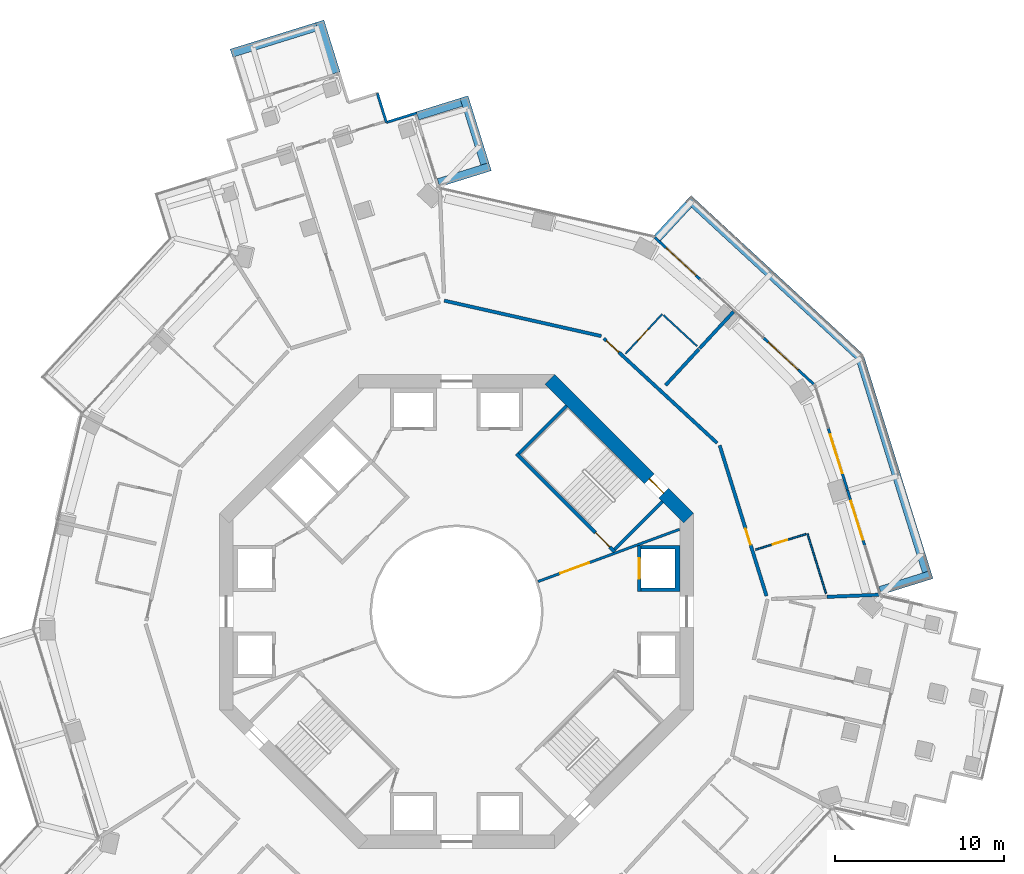
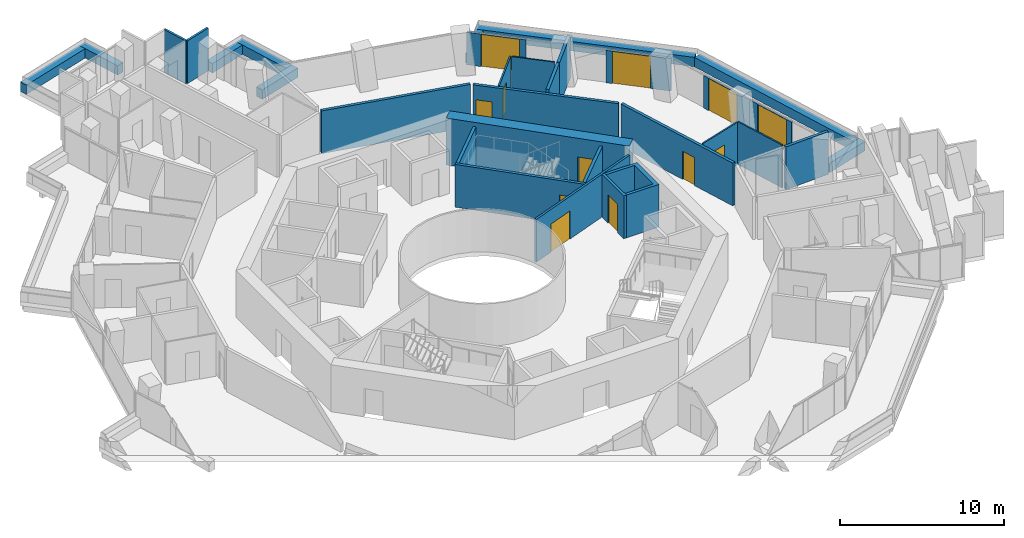
# One storey, part 22 of 25: 32 walls, 12 doors, 12 openings.
"""IFC4 building model written with IfcOpenShell, lengths in metres."""

from ifc_helpers import new_model, si_unit, direction, frame, frame_2d, origin, place, context, subcontext, project, spatial, polyline, rectangle, outline, extrude, material, layer, layer_set, type_object, element, fill, save


model = new_model("IFC4")

# Units and contexts
model_context = context("Model", 3, precision=1e-05, world=origin(), true_north=direction((0.0, 1.0)))
body_context = subcontext(model_context, "Body", "Model", "MODEL_VIEW")
ifc_project = project(units=[si_unit("LENGTHUNIT", "METRE"), si_unit("AREAUNIT", "SQUARE_METRE"), si_unit("VOLUMEUNIT", "CUBIC_METRE"), si_unit("PLANEANGLEUNIT", "RADIAN"), si_unit("MASSUNIT", "GRAM", prefix="KILO")], contexts=[model_context])

# Site, building, storey
site_placement = place(None, origin())
site = spatial("IfcSite", under=ifc_project, at=site_placement, CompositionType="ELEMENT")
building_placement = place(site_placement, origin())
building = spatial("IfcBuilding", under=site, at=building_placement, Name="Verdalira Terraces Hotel", CompositionType="ELEMENT")
storey_placement = place(building_placement, frame((0.0, 0.0, 103.5)))
storey = spatial("IfcBuildingStorey", under=building, at=storey_placement, Name="L24", CompositionType="ELEMENT", Elevation=103.5)

# Walls
ifc_material_1 = material(Name="Concrete C40", Category="concrete")
ifc_layer_1 = layer(ifc_material_1, 0.5)
ifc_layer_set_1 = layer_set([ifc_layer_1], Name="Balcony planter trough with tree")
wall_type_1 = type_object("IfcWallType", Name="Balcony planter trough with tree", PredefinedType="SOLIDWALL", material=ifc_layer_set_1)
wall_1_placement = place(storey_placement, frame((-7.123779, 31.821289, 0.0), z_axis=(0.0, 0.0, 1.0), x_axis=(-0.297044903, 0.954863511, 0.0)))
element("IfcWall", 1, at=wall_1_placement, inside=storey, type_object=wall_type_1, Name="Balcony planter", PredefinedType="SOLIDWALL", context=body_context, shape_type="SweptSolid", body=[
    extrude(rectangle(XDim=3.19873, YDim=0.5, at=frame_2d((1.599365, 0.0))), origin(), (0.0, 0.0, 1.0), 0.699951),
])
wall_2_placement = place(storey_placement, frame((-8.238525, 34.562744, 0.0), z_axis=(0.0, 0.0, 1.0), x_axis=(-0.954870132, -0.29702362, 0.0)))
element("IfcWall", 2, at=wall_2_placement, inside=storey, type_object=wall_type_1, Name="Balcony planter", PredefinedType="SOLIDWALL", context=body_context, shape_type="SweptSolid", body=[
    extrude(rectangle(XDim=5.300049, YDim=0.5, at=frame_2d((2.649902, 0.0))), origin(), (0.0, 0.0, 1.0), 0.699951),
])
wall_3_placement = place(storey_placement, frame((25.020996, 1.238037, 0.0), z_axis=(0.0, 0.0, 1.0), x_axis=(0.954841862, 0.297114489, 0.0)))
element("IfcWall", 3, at=wall_3_placement, inside=storey, type_object=wall_type_1, Name="Balcony planter", PredefinedType="SOLIDWALL", context=body_context, shape_type="SweptSolid", body=[
    extrude(rectangle(XDim=3.198975, YDim=0.5, at=frame_2d((1.599609, 0.0))), origin(), (0.0, 0.0, 1.0), 0.699951),
])
wall_4_placement = place(storey_placement, frame((27.762451, 2.352783, 0.0), z_axis=(0.0, 0.0, 1.0), x_axis=(-0.297026901, 0.954869112, 0.0)))
element("IfcWall", 4, at=wall_4_placement, inside=storey, type_object=wall_type_1, Name="Balcony planter", PredefinedType="SOLIDWALL", context=body_context, shape_type="SweptSolid", body=[
    extrude(rectangle(XDim=13.223389, YDim=0.5, at=frame_2d((6.611816, 0.0))), origin(), (0.0, 0.0, 1.0), 0.699951),
])
wall_5_placement = place(storey_placement, frame((23.765381, 15.088867, 0.0), z_axis=(0.0, 0.0, 1.0), x_axis=(-0.734673161, 0.678421217, 0.0)))
element("IfcWall", 5, at=wall_5_placement, inside=storey, type_object=wall_type_1, Name="Balcony planter", PredefinedType="SOLIDWALL", context=body_context, shape_type="SweptSolid", body=[
    extrude(rectangle(XDim=13.723389, YDim=0.5, at=frame_2d((6.861816, 0.0))), origin(), (0.0, 0.0, 1.0), 0.699951),
])
wall_6_placement = place(storey_placement, frame((13.697266, 24.045898, 0.0), z_axis=(0.0, 0.0, 1.0), x_axis=(-0.678415341, -0.734678586, 0.0)))
element("IfcWall", 6, at=wall_6_placement, inside=storey, type_object=wall_type_1, Name="Balcony planter", PredefinedType="SOLIDWALL", context=body_context, shape_type="SweptSolid", body=[
    extrude(rectangle(XDim=2.698975, YDim=0.5, at=frame_2d((1.349609, 0.0))), origin(), (0.0, 0.0, 1.0), 0.699951),
])
wall_7_placement = place(storey_placement, frame((-1.07251, 25.333252, 0.0), z_axis=(0.0, 0.0, 1.0), x_axis=(0.954870245, 0.297023257, 0.0)))
element("IfcWall", 7, at=wall_7_placement, inside=storey, type_object=wall_type_1, Name="Balcony planter", PredefinedType="SOLIDWALL", context=body_context, shape_type="SweptSolid", body=[
    extrude(rectangle(XDim=3.198975, YDim=0.5, at=frame_2d((1.599609, 0.0))), origin(), (0.0, 0.0, 1.0), 0.699951),
])
wall_8_placement = place(storey_placement, frame((1.669189, 26.447998, 0.0), z_axis=(0.0, 0.0, 1.0), x_axis=(-0.297046248, 0.954863093, 0.0)))
element("IfcWall", 8, at=wall_8_placement, inside=storey, type_object=wall_type_1, Name="Balcony planter", PredefinedType="SOLIDWALL", context=body_context, shape_type="SweptSolid", body=[
    extrude(rectangle(XDim=4.141602, YDim=0.5, at=frame_2d((2.070801, 0.0))), origin(), (0.0, 0.0, 1.0), 0.699951),
])
wall_9_placement = place(storey_placement, frame((0.274414, 30.0896, 0.0), z_axis=(0.0, 0.0, 1.0), x_axis=(-0.954859057, -0.297059222, 0.0)))
element("IfcWall", 9, at=wall_9_placement, inside=storey, type_object=wall_type_1, Name="Balcony planter", PredefinedType="SOLIDWALL", context=body_context, shape_type="SweptSolid", body=[
    extrude(rectangle(XDim=2.698975, YDim=0.5, at=frame_2d((1.349609, 0.0))), origin(), (0.0, 0.0, 1.0), 0.699951),
])

# Wall, opening, door
ifc_material_2 = material(Name="Moisture-resistant gypsum board partition")
ifc_layer_2 = layer(ifc_material_2, 0.10009765625)
ifc_layer_set_2 = layer_set([ifc_layer_2], Name="Bathroom partition 100 mm")
wall_type_2 = type_object("IfcWallType", Name="Bathroom partition 100 mm", PredefinedType="PARTITIONING", material=ifc_layer_set_2)
wall_10_placement = place(storey_placement, frame((12.150146, 17.579834, 0.0), z_axis=(0.0, 0.0, 1.0), x_axis=(-0.678394168, -0.734698137, 0.0)))
wall_10 = element("IfcWall", 10, at=wall_10_placement, inside=storey, type_object=wall_type_2, Name="Bathroom partition", PredefinedType="PARTITIONING", context=body_context, shape_type="SweptSolid", body=[
    extrude(rectangle(XDim=3.199951, YDim=0.100098, at=frame_2d((1.600098, 0.0))), origin(), (0.0, 0.0, 1.0), 3.189941),
])
opening_1_placement = place(wall_10_placement, frame((1.25, 0.0, 0.0)))
opening_1 = element("IfcOpeningElement", 11, at=opening_1_placement, cuts=wall_10, Name="Opening L24-135", PredefinedType="OPENING", context=body_context, shape_type="SweptSolid", body=[
    extrude(rectangle(XDim=0.899902, YDim=2.100098, at=frame_2d((0.449951, 1.050049))), frame((0.0, 0.060059, 0.0), z_axis=(0.0, -1.0, 0.0), x_axis=(1.0, 0.0, 0.0)), (0.0, 0.0, 1.0), 0.120117),
])
ifc_material_3 = material(Name="Timber door", Category="wood")
door_type_1 = type_object("IfcDoorType", Name="Bathroom door 900 x 2100", OperationType="NOTDEFINED", PredefinedType="DOOR", material=ifc_material_3)
door_1_placement = place(opening_1_placement, origin())
door_1 = element("IfcDoor", 12, at=door_1_placement, inside=storey, type_object=door_type_1, Name="Bathroom door 2414", OperationType="SINGLE_SWING_LEFT", OverallHeight=2.10009765625, OverallWidth=0.89990234375, PredefinedType="DOOR", context=body_context, shape_type="SweptSolid", body=[
    extrude(rectangle(XDim=0.899902, YDim=2.100098, at=frame_2d((0.449951, 1.050049))), frame((0.0, 0.024902, 0.0), z_axis=(0.0, -1.0, 0.0), x_axis=(1.0, 0.0, 0.0)), (0.0, 0.0, 1.0), 0.050049),
])
fill(opening_1, door_1)

# Wall
wall_11_placement = place(storey_placement, frame((12.223633, 17.511963, 0.0), z_axis=(0.0, 0.0, 1.0), x_axis=(0.734668232, -0.678426553, 0.0)))
element("IfcWall", 13, at=wall_11_placement, inside=storey, type_object=wall_type_2, Name="Bathroom partition", PredefinedType="PARTITIONING", context=body_context, shape_type="SweptSolid", body=[
    extrude(rectangle(XDim=2.699951, YDim=0.100098, at=frame_2d((1.350098, 0.0))), origin(), (0.0, 0.0, 1.0), 3.189941),
])

# Wall, opening, door
wall_12_placement = place(storey_placement, frame((20.630127, 4.576172, 0.0), z_axis=(0.0, 0.0, 1.0), x_axis=(-0.954877129, -0.297001126, 0.0)))
wall_12 = element("IfcWall", 14, at=wall_12_placement, inside=storey, type_object=wall_type_2, Name="Bathroom partition", PredefinedType="PARTITIONING", context=body_context, shape_type="SweptSolid", body=[
    extrude(rectangle(XDim=3.099854, YDim=0.100098, at=frame_2d((1.549805, 0.0))), origin(), (0.0, 0.0, 1.0), 3.189941),
])
opening_2_placement = place(wall_12_placement, frame((1.149902, 0.0, 0.0)))
opening_2 = element("IfcOpeningElement", 15, at=opening_2_placement, cuts=wall_12, Name="Opening L24-133", PredefinedType="OPENING", context=body_context, shape_type="SweptSolid", body=[
    extrude(rectangle(XDim=0.899902, YDim=2.100098, at=frame_2d((0.449951, 1.050049))), frame((0.0, 0.060059, 0.0), z_axis=(0.0, -1.0, 0.0), x_axis=(1.0, 0.0, 0.0)), (0.0, 0.0, 1.0), 0.120117),
])
door_2_placement = place(opening_2_placement, origin())
door_2 = element("IfcDoor", 16, at=door_2_placement, inside=storey, type_object=door_type_1, Name="Bathroom door 2413", OperationType="SINGLE_SWING_LEFT", OverallHeight=2.10009765625, OverallWidth=0.89990234375, PredefinedType="DOOR", context=body_context, shape_type="SweptSolid", body=[
    extrude(rectangle(XDim=0.899902, YDim=2.100098, at=frame_2d((0.449951, 1.050049))), frame((0.0, 0.024902, 0.0), z_axis=(0.0, -1.0, 0.0), x_axis=(1.0, 0.0, 0.0)), (0.0, 0.0, 1.0), 0.050049),
])
fill(opening_2, door_2)

# Walls
wall_13_placement = place(storey_placement, frame((20.725586, 4.605957, 0.0), z_axis=(0.0, 0.0, 1.0), x_axis=(0.297062546, -0.954858023, 0.0)))
element("IfcWall", 17, at=wall_13_placement, inside=storey, type_object=wall_type_2, Name="Bathroom partition", PredefinedType="PARTITIONING", context=body_context, shape_type="SweptSolid", body=[
    extrude(rectangle(XDim=3.704102, YDim=0.100098, at=frame_2d((1.852051, 0.0))), origin(), (0.0, 0.0, 1.0), 3.189941),
])
ifc_material_4 = material(Name="Concrete C50", Category="concrete")
ifc_layer_3 = layer(ifc_material_4, 0.199951171875)
ifc_layer_set_3 = layer_set([ifc_layer_3], Name="Core RC wall 200 C50")
wall_type_3 = type_object("IfcWallType", Name="Core RC wall 200 C50", PredefinedType="SOLIDWALL", material=ifc_layer_set_3)
wall_14_placement = place(storey_placement, origin())
element("IfcWall", 18, at=wall_14_placement, inside=storey, type_object=wall_type_3, Name="L24 shaft wall E2", PredefinedType="SOLIDWALL", context=body_context, shape_type="SweptSolid", body=[
    extrude(outline(polyline([(13.199951, 3.899902), (13.199951, 1.199951), (10.899902, 1.199951), (10.899902, 1.399902), (12.899902, 1.399902), (12.899902, 3.699951), (10.899902, 3.699951), (10.899902, 3.899902), (13.199951, 3.899902)])), origin(), (0.0, 0.0, 1.0), 3.189941),
])

# Wall, opening, door
wall_15_placement = place(storey_placement, frame((10.800049, 1.199951, 0.0), z_axis=(0.0, 0.0, 1.0), x_axis=(0.0, 1.0, 0.0)))
wall_15 = element("IfcWall", 19, at=wall_15_placement, inside=storey, type_object=wall_type_3, Name="L24 shaft front wall E2", PredefinedType="SOLIDWALL", context=body_context, shape_type="SweptSolid", body=[
    extrude(rectangle(XDim=2.699951, YDim=0.199951, at=frame_2d((1.350098, 0.0))), origin(), (0.0, 0.0, 1.0), 3.189941),
])
opening_3_placement = place(wall_15_placement, frame((0.75, 0.0, 0.0)))
opening_3 = element("IfcOpeningElement", 20, at=opening_3_placement, cuts=wall_15, Name="Opening LD-L24-802", PredefinedType="OPENING", context=body_context, shape_type="SweptSolid", body=[
    extrude(rectangle(XDim=1.199951, YDim=2.100098, at=frame_2d((0.600098, 1.050049))), frame((0.0, 0.109863, 0.0), z_axis=(0.0, -1.0, 0.0), x_axis=(1.0, 0.0, 0.0)), (0.0, 0.0, 1.0), 0.219971),
])
ifc_material_5 = material(Name="Stainless steel", Category="steel")
door_type_2 = type_object("IfcDoorType", Name="Landing door 1200 x 2100", OperationType="NOTDEFINED", PredefinedType="DOOR", material=ifc_material_5)
door_3_placement = place(opening_3_placement, origin())
door_3 = element("IfcDoor", 21, at=door_3_placement, inside=storey, type_object=door_type_2, Name="Lift landing door LR2 L24", OperationType="DOUBLE_DOOR_SLIDING", OverallHeight=2.10009765625, OverallWidth=1.199951171875, PredefinedType="DOOR", context=body_context, shape_type="SweptSolid", body=[
    extrude(rectangle(XDim=1.199951, YDim=2.100098, at=frame_2d((0.600098, 1.050049))), frame((0.0, 0.024902, 0.0), z_axis=(0.0, -1.0, 0.0), x_axis=(1.0, 0.0, 0.0)), (0.0, 0.0, 1.0), 0.050049),
])
fill(opening_3, door_3)

wall_16_placement = place(storey_placement, frame((3.5354, 9.33374, 0.0), z_axis=(0.0, 0.0, 1.0), x_axis=(0.707106781, -0.707106781, 0.0)))
wall_16 = element("IfcWall", 22, at=wall_16_placement, inside=storey, type_object=wall_type_3, Name="L24 stair ST1 front wall", PredefinedType="SOLIDWALL", context=body_context, shape_type="SweptSolid", body=[
    extrude(rectangle(XDim=8.200195, YDim=0.199951, at=frame_2d((4.100098, 0.0))), origin(), (0.0, 0.0, 1.0), 3.189941),
])
opening_4_placement = place(wall_16_placement, frame((6.600098, 0.0, 0.0)))
opening_4 = element("IfcOpeningElement", 23, at=opening_4_placement, cuts=wall_16, Name="Opening L24-809", PredefinedType="OPENING", context=body_context, shape_type="SweptSolid", body=[
    extrude(rectangle(XDim=1.199951, YDim=2.100098, at=frame_2d((0.600098, 1.050049))), frame((0.0, 0.109863, 0.0), z_axis=(0.0, -1.0, 0.0), x_axis=(1.0, 0.0, 0.0)), (0.0, 0.0, 1.0), 0.219971),
])
ifc_material_6 = material(Name="Steel fire door", Category="steel")
door_type_3 = type_object("IfcDoorType", Name="Stair door 1200 x 2100", OperationType="NOTDEFINED", PredefinedType="DOOR", material=ifc_material_6)
door_4_placement = place(opening_4_placement, origin())
door_4 = element("IfcDoor", 24, at=door_4_placement, inside=storey, type_object=door_type_3, Name="Stair door ST1 L24", OperationType="SINGLE_SWING_RIGHT", OverallHeight=2.10009765625, OverallWidth=1.199951171875, PredefinedType="DOOR", context=body_context, shape_type="SweptSolid", body=[
    extrude(rectangle(XDim=1.199951, YDim=2.100098, at=frame_2d((0.600098, 1.050049))), frame((0.0, 0.024902, 0.0), z_axis=(0.0, -1.0, 0.0), x_axis=(1.0, 0.0, 0.0)), (0.0, 0.0, 1.0), 0.050049),
])
fill(opening_4, door_4)

# Walls
for number, where, z_axis, x_axis, name in (
    (25, (9.33374, 3.677002, 0.0), (0.0, 0.0, 1.0), (0.707106781, 0.707106781, 0.0), "L24 stair ST1 end wall 1"),
    (26, (3.677002, 9.33374, 0.0), (0.0, 0.0, 1.0), (0.707106781, 0.707106781, 0.0), "L24 stair ST1 end wall 2"),
):
    element("IfcWall", number, at=place(storey_placement, frame(where, z_axis=z_axis, x_axis=x_axis)), inside=storey, type_object=wall_type_3, Name=name, PredefinedType="SOLIDWALL", context=body_context, shape_type="SweptSolid", body=[
        extrude(rectangle(XDim=4.0, YDim=0.199951, at=frame_2d((2.0, 0.0))), origin(), (0.0, 0.0, 1.0), 3.189941),
    ])

# Wall, opening, door
ifc_material_7 = material(Name="Gypsum board partition")
ifc_layer_4 = layer(ifc_material_7, 0.14990234375)
ifc_layer_set_4 = layer_set([ifc_layer_4], Name="Core partition 150 mm")
wall_type_4 = type_object("IfcWallType", Name="Core partition 150 mm", PredefinedType="PARTITIONING", material=ifc_layer_set_4)
wall_17_placement = place(storey_placement, frame((4.812988, 1.775635, 0.0), z_axis=(0.0, 0.0, 1.0), x_axis=(0.938191915, 0.346115488, 0.0)))
wall_17 = element("IfcWall", 27, at=wall_17_placement, inside=storey, type_object=wall_type_4, Name="Gallery fire partition L24", PredefinedType="PARTITIONING", context=body_context, shape_type="SweptSolid", body=[
    extrude(rectangle(XDim=8.909668, YDim=0.149902, at=frame_2d((4.454834, 0.0))), origin(), (0.0, 0.0, 1.0), 3.189941),
])
opening_5_placement = place(wall_17_placement, frame((1.399902, 0.0, 0.0)))
opening_5 = element("IfcOpeningElement", 28, at=opening_5_placement, cuts=wall_17, Name="Opening L24-824", PredefinedType="OPENING", context=body_context, shape_type="SweptSolid", body=[
    extrude(rectangle(XDim=1.800049, YDim=2.100098, at=frame_2d((0.899902, 1.050049))), frame((0.0, 0.084961, 0.0), z_axis=(0.0, -1.0, 0.0), x_axis=(1.0, 0.0, 0.0)), (0.0, 0.0, 1.0), 0.169922),
])
ifc_material_8 = material(Name="Steel fire door", Category="steel")
door_type_4 = type_object("IfcDoorType", Name="Gallery fire door pair 1800 x 2100", OperationType="NOTDEFINED", PredefinedType="DOOR", material=ifc_material_8)
door_5_placement = place(opening_5_placement, origin())
door_5 = element("IfcDoor", 29, at=door_5_placement, inside=storey, type_object=door_type_4, Name="Door L24 split0", OperationType="DOUBLE_DOOR_SINGLE_SWING", OverallHeight=2.10009765625, OverallWidth=1.800048828125, PredefinedType="DOOR", context=body_context, shape_type="SweptSolid", body=[
    extrude(rectangle(XDim=1.800049, YDim=2.100098, at=frame_2d((0.899902, 1.050049))), frame((0.0, 0.024902, 0.0), z_axis=(0.0, -1.0, 0.0), x_axis=(1.0, 0.0, 0.0)), (0.0, 0.0, 1.0), 0.050049),
])
fill(opening_5, door_5)

ifc_material_9 = material(Name="Concrete C70", Category="concrete")
ifc_layer_5 = layer(ifc_material_9, 0.800048828125)
ifc_layer_set_5 = layer_set([ifc_layer_5], Name="Core wall 800 C70")
wall_type_5 = type_object("IfcWallType", Name="Core wall 800 C70", PredefinedType="SHEAR", material=ifc_layer_set_5)
wall_18_placement = place(storey_placement, frame((13.717285, 5.516113, 0.0), z_axis=(0.0, 0.0, 1.0), x_axis=(-0.707106781, 0.707106781, 0.0)))
wall_18 = element("IfcWall", 30, at=wall_18_placement, inside=storey, type_object=wall_type_5, Name="Core wall CW-L24-2", PredefinedType="SHEAR", context=body_context, shape_type="SweptSolid", body=[
    extrude(rectangle(XDim=11.598145, YDim=0.800049, at=frame_2d((5.799072, 0.0))), origin(), (0.0, 0.0, 1.0), 3.5),
])
opening_6_placement = place(wall_18_placement, frame((2.099121, 0.0, 0.0)))
opening_6 = element("IfcOpeningElement", 31, at=opening_6_placement, cuts=wall_18, Name="Opening L24-816", PredefinedType="OPENING", context=body_context, shape_type="SweptSolid", body=[
    extrude(rectangle(XDim=1.199951, YDim=2.100098, at=frame_2d((0.600098, 1.050049))), frame((0.0, 0.409912, 0.0), z_axis=(0.0, -1.0, 0.0), x_axis=(1.0, 0.0, 0.0)), (0.0, 0.0, 1.0), 0.820068),
])
door_6_placement = place(opening_6_placement, origin())
door_6 = element("IfcDoor", 32, at=door_6_placement, inside=storey, type_object=door_type_3, Name="Stair exit door ST1 L24", OperationType="SINGLE_SWING_LEFT", OverallHeight=2.10009765625, OverallWidth=1.199951171875, PredefinedType="DOOR", context=body_context, shape_type="SweptSolid", body=[
    extrude(rectangle(XDim=1.199951, YDim=2.100098, at=frame_2d((0.600098, 1.050049))), frame((0.0, 0.024902, 0.0), z_axis=(0.0, -1.0, 0.0), x_axis=(1.0, 0.0, 0.0)), (0.0, 0.0, 1.0), 0.050049),
])
fill(opening_6, door_6)

# Walls
ifc_material_10 = material(Name="Fire-rated gypsum board wall")
ifc_layer_6 = layer(ifc_material_10, 0.199951171875)
ifc_layer_set_6 = layer_set([ifc_layer_6], Name="Demising wall 200 mm")
wall_type_6 = type_object("IfcWallType", Name="Demising wall 200 mm", PredefinedType="SOLIDWALL", material=ifc_layer_set_6)
wall_19_placement = place(storey_placement, frame((12.351074, 13.375244, 0.0), z_axis=(0.0, 0.0, 1.0), x_axis=(0.678388316, 0.73470354, 0.0)))
element("IfcWall", 33, at=wall_19_placement, inside=storey, type_object=wall_type_6, Name="Demising wall", PredefinedType="SOLIDWALL", context=body_context, shape_type="SweptSolid", body=[
    extrude(rectangle(XDim=2.904541, YDim=0.199951, at=frame_2d((1.452148, 0.0))), origin(), (0.0, 0.0, 1.0), 3.189941),
])
wall_20_placement = place(storey_placement, frame((14.352783, 15.543213, 0.0), z_axis=(0.0, 0.0, 1.0), x_axis=(0.678427795, 0.734667086, 0.0)))
element("IfcWall", 34, at=wall_20_placement, inside=storey, type_object=wall_type_6, Name="Demising wall", PredefinedType="SOLIDWALL", context=body_context, shape_type="SweptSolid", body=[
    extrude(rectangle(XDim=2.951904, YDim=0.199951, at=frame_2d((1.476074, 0.0))), origin(), (0.0, 0.0, 1.0), 3.189941),
])
wall_21_placement = place(storey_placement, frame((21.885254, 0.871338, 0.0), z_axis=(0.0, 0.0, 1.0), x_axis=(0.99920795, 0.039792878, 0.0)))
element("IfcWall", 35, at=wall_21_placement, inside=storey, type_object=wall_type_6, Name="Demising wall", PredefinedType="SOLIDWALL", context=body_context, shape_type="SweptSolid", body=[
    extrude(rectangle(XDim=3.061523, YDim=0.199951, at=frame_2d((1.530762, 0.0))), origin(), (0.0, 0.0, 1.0), 3.189941),
])
ifc_material_11 = material(Name="Fire-rated gypsum board wall")
ifc_layer_7 = layer(ifc_material_11, 0.199951171875)
ifc_layer_set_7 = layer_set([ifc_layer_7], Name="Guest corridor wall 200 mm")
wall_type_7 = type_object("IfcWallType", Name="Guest corridor wall 200 mm", PredefinedType="SOLIDWALL", material=ifc_layer_set_7)
wall_22_placement = place(storey_placement, frame((8.55127, 16.274902, 0.0), z_axis=(0.0, 0.0, 1.0), x_axis=(-0.975460913, 0.220172678, 0.0)))
element("IfcWall", 36, at=wall_22_placement, inside=storey, type_object=wall_type_7, Name="Guest corridor wall", PredefinedType="SOLIDWALL", context=body_context, shape_type="SweptSolid", body=[
    extrude(rectangle(XDim=9.516113, YDim=0.199951, at=frame_2d((4.758057, 0.0))), origin(), (0.0, 0.0, 1.0), 3.189941),
])

# Wall, opening, door
wall_23_placement = place(storey_placement, frame((8.698975, 16.138672, 0.0), z_axis=(0.0, 0.0, 1.0), x_axis=(0.734682268, -0.678411354, 0.0)))
wall_23 = element("IfcWall", 37, at=wall_23_placement, inside=storey, type_object=wall_type_7, Name="Guest corridor wall", PredefinedType="SOLIDWALL", context=body_context, shape_type="SweptSolid", body=[
    extrude(rectangle(XDim=9.115479, YDim=0.199951, at=frame_2d((4.557617, 0.0))), origin(), (0.0, 0.0, 1.0), 3.189941),
])
opening_7_placement = place(wall_23_placement, frame((0.199951, 0.0, 0.0)))
opening_7 = element("IfcOpeningElement", 38, at=opening_7_placement, cuts=wall_23, Name="Opening L24-134", PredefinedType="OPENING", context=body_context, shape_type="SweptSolid", body=[
    extrude(rectangle(XDim=1.0, YDim=2.100098, at=frame_2d((0.5, 1.050049))), frame((0.0, 0.109863, 0.0), z_axis=(0.0, -1.0, 0.0), x_axis=(1.0, 0.0, 0.0)), (0.0, 0.0, 1.0), 0.219971),
])
ifc_material_12 = material(Name="Timber fire door", Category="wood")
door_type_5 = type_object("IfcDoorType", Name="Guest entry door 1000 x 2100", OperationType="NOTDEFINED", PredefinedType="DOOR", material=ifc_material_12)
door_7_placement = place(opening_7_placement, origin())
door_7 = element("IfcDoor", 39, at=door_7_placement, inside=storey, type_object=door_type_5, Name="Guest entry door 2414", OperationType="SINGLE_SWING_LEFT", OverallHeight=2.10009765625, OverallWidth=1.0, PredefinedType="DOOR", context=body_context, shape_type="SweptSolid", body=[
    extrude(rectangle(XDim=1.0, YDim=2.100098, at=frame_2d((0.5, 1.050049))), frame((0.0, 0.024902, 0.0), z_axis=(0.0, -1.0, 0.0), x_axis=(1.0, 0.0, 0.0)), (0.0, 0.0, 1.0), 0.050049),
])
fill(opening_7, door_7)

wall_24_placement = place(storey_placement, frame((15.543457, 9.818115, 0.0), z_axis=(0.0, 0.0, 1.0), x_axis=(0.297043721, -0.954863879, 0.0)))
wall_24 = element("IfcWall", 40, at=wall_24_placement, inside=storey, type_object=wall_type_7, Name="Guest corridor wall", PredefinedType="SOLIDWALL", context=body_context, shape_type="SweptSolid", body=[
    extrude(rectangle(XDim=9.316162, YDim=0.199951, at=frame_2d((4.658203, 0.0))), origin(), (0.0, 0.0, 1.0), 3.189941),
])
opening_8_placement = place(wall_24_placement, frame((5.149902, 0.0, 0.0)))
opening_8 = element("IfcOpeningElement", 41, at=opening_8_placement, cuts=wall_24, Name="Opening L24-132", PredefinedType="OPENING", context=body_context, shape_type="SweptSolid", body=[
    extrude(rectangle(XDim=1.0, YDim=2.100098, at=frame_2d((0.5, 1.050049))), frame((0.0, 0.109863, 0.0), z_axis=(0.0, -1.0, 0.0), x_axis=(1.0, 0.0, 0.0)), (0.0, 0.0, 1.0), 0.219971),
])
door_8_placement = place(opening_8_placement, origin())
door_8 = element("IfcDoor", 42, at=door_8_placement, inside=storey, type_object=door_type_5, Name="Guest entry door 2413", OperationType="SINGLE_SWING_LEFT", OverallHeight=2.10009765625, OverallWidth=1.0, PredefinedType="DOOR", context=body_context, shape_type="SweptSolid", body=[
    extrude(rectangle(XDim=1.0, YDim=2.100098, at=frame_2d((0.5, 1.050049))), frame((0.0, 0.024902, 0.0), z_axis=(0.0, -1.0, 0.0), x_axis=(1.0, 0.0, 0.0)), (0.0, 0.0, 1.0), 0.050049),
])
fill(opening_8, door_8)

# Walls
ifc_material_13 = material(Name="Terracotta cladding", Category="masonry")
ifc_layer_8 = layer(ifc_material_13, 0.14990234375)
ifc_layer_set_8 = layer_set([ifc_layer_8], Name="Terracotta clad wall 150")
wall_type_8 = type_object("IfcWallType", Name="Terracotta clad wall 150", PredefinedType="SOLIDWALL", material=ifc_layer_set_8)
wall_25_placement = place(storey_placement, frame((-2.355713, 29.454834, 0.0), z_axis=(0.0, 0.0, 1.0), x_axis=(-0.954833792, -0.297140422, 0.0)))
element("IfcWall", 43, at=wall_25_placement, inside=storey, type_object=wall_type_8, Name="Terracotta cladding wall", PredefinedType="SOLIDWALL", context=body_context, shape_type="SweptSolid", body=[
    extrude(rectangle(XDim=1.875, YDim=0.149902, at=frame_2d((0.9375, 0.0))), origin(), (0.0, 0.0, 1.0), 3.189941),
])
wall_26_placement = place(storey_placement, frame((-4.145996, 28.897705, 0.0), z_axis=(0.0, 0.0, 1.0), x_axis=(-0.297039071, 0.954865326, 0.0)))
element("IfcWall", 44, at=wall_26_placement, inside=storey, type_object=wall_type_8, Name="Terracotta cladding wall", PredefinedType="SOLIDWALL", context=body_context, shape_type="SweptSolid", body=[
    extrude(rectangle(XDim=1.800049, YDim=0.149902, at=frame_2d((0.899902, 0.0))), origin(), (0.0, 0.0, 1.0), 3.189941),
])

# Wall, opening, door
ifc_material_14 = material(Name="Terracotta cladding", Category="masonry")
ifc_layer_9 = layer(ifc_material_14, 0.14990234375)
ifc_layer_set_9 = layer_set([ifc_layer_9], Name="Terracotta door pier 150")
wall_type_9 = type_object("IfcWallType", Name="Terracotta door pier 150", PredefinedType="SOLIDWALL", material=ifc_layer_set_9)
wall_27_placement = place(storey_placement, frame((24.124023, 3.865234, 0.0), z_axis=(0.0, 0.0, 1.0), x_axis=(-0.297046624, 0.954862976, 0.0)))
wall_27 = element("IfcWall", 45, at=wall_27_placement, inside=storey, type_object=wall_type_9, Name="Terracotta door pier", PredefinedType="SOLIDWALL", context=body_context, shape_type="SweptSolid", body=[
    extrude(rectangle(XDim=3.474854, YDim=0.149902, at=frame_2d((1.737305, 0.0))), origin(), (0.0, 0.0, 1.0), 2.425049),
])
opening_9_placement = place(wall_27_placement, frame((0.399902, 0.0, 0.0)))
opening_9 = element("IfcOpeningElement", 46, at=opening_9_placement, cuts=wall_27, Name="Opening L24-B17", PredefinedType="OPENING", context=body_context, shape_type="SweptSolid", body=[
    extrude(rectangle(XDim=2.399902, YDim=2.399902, at=frame_2d((1.199951, 1.199951))), frame((0.0, 0.084961, 0.0), z_axis=(0.0, -1.0, 0.0), x_axis=(1.0, 0.0, 0.0)), (0.0, 0.0, 1.0), 0.169922),
])
ifc_material_15 = material(Name="Clear glass", Category="glass")
door_type_6 = type_object("IfcDoorType", Name="Balcony sliding door 2400x2400", OperationType="NOTDEFINED", PredefinedType="DOOR", material=ifc_material_15)
door_9_placement = place(opening_9_placement, origin())
door_9 = element("IfcDoor", 47, at=door_9_placement, inside=storey, type_object=door_type_6, Name="Balcony sliding door", OperationType="SLIDING_TO_RIGHT", OverallHeight=2.39990234375, OverallWidth=2.39990234375, PredefinedType="DOOR", context=body_context, shape_type="SweptSolid", body=[
    extrude(rectangle(XDim=2.399902, YDim=2.399902, at=frame_2d((1.199951, 1.199951))), frame((0.0, 0.024902, 0.0), z_axis=(0.0, -1.0, 0.0), x_axis=(1.0, 0.0, 0.0)), (0.0, 0.0, 1.0), 0.050049),
])
fill(opening_9, door_9)

wall_28_placement = place(storey_placement, frame((23.091797, 7.18335, 0.0), z_axis=(0.0, 0.0, 1.0), x_axis=(-0.297049788, 0.954861992, 0.0)))
wall_28 = element("IfcWall", 48, at=wall_28_placement, inside=storey, type_object=wall_type_9, Name="Terracotta door pier", PredefinedType="SOLIDWALL", context=body_context, shape_type="SweptSolid", body=[
    extrude(rectangle(XDim=3.835693, YDim=0.149902, at=frame_2d((1.917969, 0.0))), origin(), (0.0, 0.0, 1.0), 2.425049),
])
opening_10_placement = place(wall_28_placement, frame((1.0354, 0.0, 0.0)))
opening_10 = element("IfcOpeningElement", 49, at=opening_10_placement, cuts=wall_28, Name="Opening L24-B18", PredefinedType="OPENING", context=body_context, shape_type="SweptSolid", body=[
    extrude(rectangle(XDim=2.399902, YDim=2.399902, at=frame_2d((1.199951, 1.199951))), frame((0.0, 0.084961, 0.0), z_axis=(0.0, -1.0, 0.0), x_axis=(1.0, 0.0, 0.0)), (0.0, 0.0, 1.0), 0.169922),
])
door_10_placement = place(opening_10_placement, origin())
door_10 = element("IfcDoor", 50, at=door_10_placement, inside=storey, type_object=door_type_6, Name="Balcony sliding door", OperationType="SLIDING_TO_LEFT", OverallHeight=2.39990234375, OverallWidth=2.39990234375, PredefinedType="DOOR", context=body_context, shape_type="SweptSolid", body=[
    extrude(rectangle(XDim=2.399902, YDim=2.399902, at=frame_2d((1.199951, 1.199951))), frame((0.0, 0.024902, 0.0), z_axis=(0.0, -1.0, 0.0), x_axis=(1.0, 0.0, 0.0)), (0.0, 0.0, 1.0), 0.050049),
])
fill(opening_10, door_10)

wall_29_placement = place(storey_placement, frame((21.108154, 13.425293, 0.0), z_axis=(0.0, 0.0, 1.0), x_axis=(-0.734695286, 0.678397256, 0.0)))
wall_29 = element("IfcWall", 51, at=wall_29_placement, inside=storey, type_object=wall_type_9, Name="Terracotta door pier", PredefinedType="SOLIDWALL", context=body_context, shape_type="SweptSolid", body=[
    extrude(rectangle(XDim=4.067627, YDim=0.149902, at=frame_2d((2.033691, 0.0))), origin(), (0.0, 0.0, 1.0), 2.425049),
])
opening_11_placement = place(wall_29_placement, frame((1.267822, 0.0, 0.0)))
opening_11 = element("IfcOpeningElement", 52, at=opening_11_placement, cuts=wall_29, Name="Opening L24-B19", PredefinedType="OPENING", context=body_context, shape_type="SweptSolid", body=[
    extrude(rectangle(XDim=2.399902, YDim=2.399902, at=frame_2d((1.199951, 1.199951))), frame((0.0, 0.084961, 0.0), z_axis=(0.0, -1.0, 0.0), x_axis=(1.0, 0.0, 0.0)), (0.0, 0.0, 1.0), 0.169922),
])
door_11_placement = place(opening_11_placement, origin())
door_11 = element("IfcDoor", 53, at=door_11_placement, inside=storey, type_object=door_type_6, Name="Balcony sliding door", OperationType="SLIDING_TO_LEFT", OverallHeight=2.39990234375, OverallWidth=2.39990234375, PredefinedType="DOOR", context=body_context, shape_type="SweptSolid", body=[
    extrude(rectangle(XDim=2.399902, YDim=2.399902, at=frame_2d((1.199951, 1.199951))), frame((0.0, 0.024902, 0.0), z_axis=(0.0, -1.0, 0.0), x_axis=(1.0, 0.0, 0.0)), (0.0, 0.0, 1.0), 0.050049),
])
fill(opening_11, door_11)

wall_30_placement = place(storey_placement, frame((14.43042, 19.591553, 0.0), z_axis=(0.0, 0.0, 1.0), x_axis=(-0.734677294, 0.67841674, 0.0)))
wall_30 = element("IfcWall", 54, at=wall_30_placement, inside=storey, type_object=wall_type_9, Name="Terracotta door pier", PredefinedType="SOLIDWALL", context=body_context, shape_type="SweptSolid", body=[
    extrude(rectangle(XDim=3.710205, YDim=0.149902, at=frame_2d((1.85498, 0.0))), origin(), (0.0, 0.0, 1.0), 2.425049),
])
opening_12_placement = place(wall_30_placement, frame((0.399902, 0.0, 0.0)))
opening_12 = element("IfcOpeningElement", 55, at=opening_12_placement, cuts=wall_30, Name="Opening L24-B20", PredefinedType="OPENING", context=body_context, shape_type="SweptSolid", body=[
    extrude(rectangle(XDim=2.399902, YDim=2.399902, at=frame_2d((1.199951, 1.199951))), frame((0.0, 0.084961, 0.0), z_axis=(0.0, -1.0, 0.0), x_axis=(1.0, 0.0, 0.0)), (0.0, 0.0, 1.0), 0.169922),
])
door_12_placement = place(opening_12_placement, origin())
door_12 = element("IfcDoor", 56, at=door_12_placement, inside=storey, type_object=door_type_6, Name="Balcony sliding door", OperationType="SLIDING_TO_RIGHT", OverallHeight=2.39990234375, OverallWidth=2.39990234375, PredefinedType="DOOR", context=body_context, shape_type="SweptSolid", body=[
    extrude(rectangle(XDim=2.399902, YDim=2.399902, at=frame_2d((1.199951, 1.199951))), frame((0.0, 0.024902, 0.0), z_axis=(0.0, -1.0, 0.0), x_axis=(1.0, 0.0, 0.0)), (0.0, 0.0, 1.0), 0.050049),
])
fill(opening_12, door_12)

save(model, "model.ifc")
